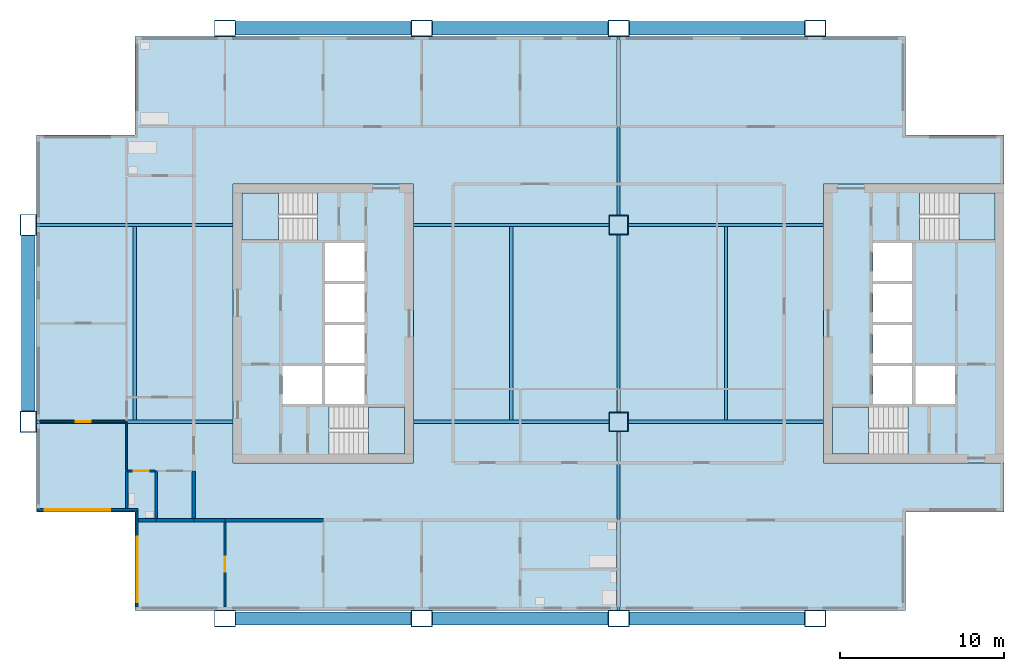
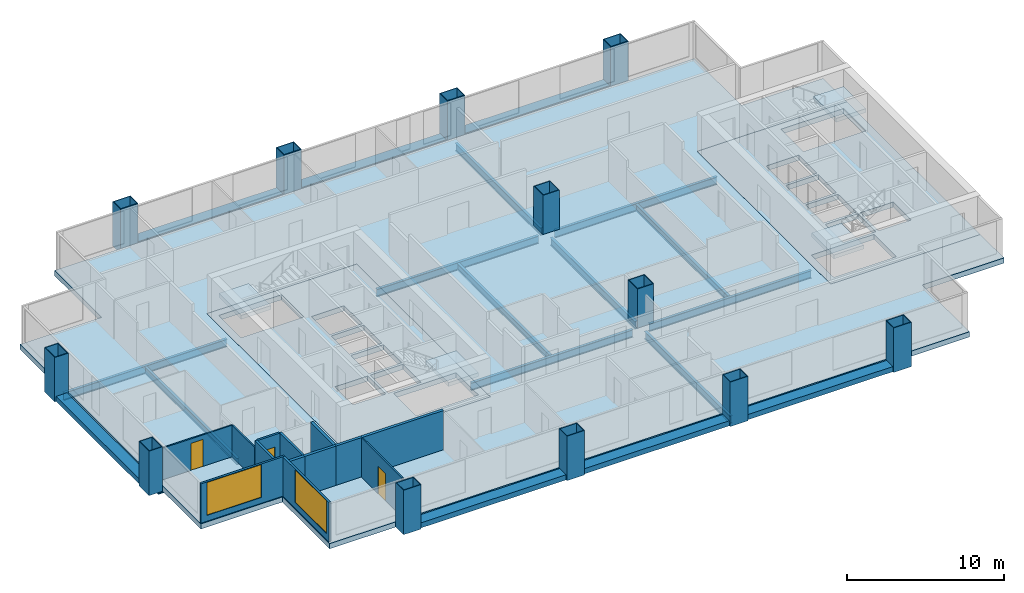
# One storey, part 1 of 8: 19 beams, 13 walls, 12 columns, 7 slabs, 3 doors, 2 windows, 5 openings, 4 elements without a shape of their own.
"""IFC4 building model written with IfcOpenShell, lengths in metres."""

from ifc_helpers import new_model, si_unit, direction, frame, frame_2d, origin, origin_2d, place, context, subcontext, project, spatial, polyline, rectangle, hollow_rectangle, i_section, outline, extrude, material, layer, layer_set, material_profile, profile_set, type_object, element, fill, aggregate, save


model = new_model("IFC4")

# Units and contexts
model_context = context("Model", 3, precision=1e-05, world=origin(), true_north=direction((0.0, 1.0)))
body_context = subcontext(model_context, "Body", "Model", "MODEL_VIEW")
ifc_project = project(units=[si_unit("LENGTHUNIT", "METRE"), si_unit("AREAUNIT", "SQUARE_METRE"), si_unit("VOLUMEUNIT", "CUBIC_METRE"), si_unit("PLANEANGLEUNIT", "RADIAN"), si_unit("MASSUNIT", "GRAM", prefix="KILO")], contexts=[model_context])

# Site, building, storey
site_placement = place(None, origin())
site = spatial("IfcSite", under=ifc_project, at=site_placement, CompositionType="ELEMENT")
building_placement = place(site_placement, origin())
building = spatial("IfcBuilding", under=site, at=building_placement, Name="Kitamizu Gate Tower and Museum", CompositionType="ELEMENT")
storey_placement = place(building_placement, frame((0.0, 0.0, 165.14990234375)))
storey = spatial("IfcBuildingStorey", under=building, at=storey_placement, Name="L43", CompositionType="ELEMENT", Elevation=165.14990234375)

# Columns
ifc_material_1 = material(Name="Steel SM490A bronze coated", Category="steel")
ifc_material_profile_1 = material_profile(ifc_material_1, hollow_rectangle(XDim=1.300048828125, YDim=1.0, WallThickness=0.050048828125, at=origin_2d()), Name="BOX 1300x1000x50")
ifc_profile_set_1 = profile_set([ifc_material_profile_1], Name="Steel SM490A bronze coated")
column_type_1 = type_object("IfcColumnType", Name="Exoskeleton column XC6 BOX 1300x1000x50", PredefinedType="COLUMN", material=ifc_profile_set_1)
for number, where, z_axis, x_axis, name in (
    (1, (0.0, 24.0, -0.39990234375), (0.0, 0.0, 1.0), (0.0, 1.0, 0.0), "Column XC6 1C L43"),
    (2, (0.0, 36.0, -0.39990234375), (0.0, 0.0, 1.0), (0.0, 1.0, 0.0), "Column XC6 1D L43"),
    (3, (12.0, 12.0, -0.39990234375), (0.0, 0.0, 1.0), (1.0, 0.0, 0.0), "Column XC6 2B L43"),
    (4, (12.0, 48.0, -0.39990234375), (0.0, 0.0, 1.0), (1.0, 0.0, 0.0), "Column XC6 2E L43"),
    (5, (24.0, 12.0, -0.39990234375), (0.0, 0.0, 1.0), (1.0, 0.0, 0.0), "Column XC6 3B L43"),
    (6, (24.0, 48.0, -0.39990234375), (0.0, 0.0, 1.0), (1.0, 0.0, 0.0), "Column XC6 3E L43"),
    (7, (36.0, 12.0, -0.39990234375), (0.0, 0.0, 1.0), (1.0, 0.0, 0.0), "Column XC6 4B L43"),
    (8, (36.0, 48.0, -0.39990234375), (0.0, 0.0, 1.0), (1.0, 0.0, 0.0), "Column XC6 4E L43"),
    (9, (48.0, 12.0, -0.39990234375), (0.0, 0.0, 1.0), (1.0, 0.0, 0.0), "Column XC6 5B L43"),
    (10, (48.0, 48.0, -0.39990234375), (0.0, 0.0, 1.0), (1.0, 0.0, 0.0), "Column XC6 5E L43"),
):
    element("IfcColumn", number, at=place(storey_placement, frame(where, z_axis=z_axis, x_axis=x_axis)), inside=storey, type_object=column_type_1, Name=name, PredefinedType="COLUMN", context=body_context, shape_type="SweptSolid", body=[
        extrude(hollow_rectangle(XDim=1.300048828125, YDim=1.0, WallThickness=0.050048828125, at=origin_2d()), origin(), (0.0, 0.0, 1.0), 3.449951171875),
    ])
ifc_material_2 = material(Name="Steel SM490A", Category="steel")
ifc_material_profile_2 = material_profile(ifc_material_2, hollow_rectangle(XDim=1.199951171875, YDim=1.199951171875, WallThickness=0.050048828125, at=origin_2d()), Name="BOX 1200x1200x50")
ifc_profile_set_2 = profile_set([ifc_material_profile_2], Name="Steel SM490A")
column_type_2 = type_object("IfcColumnType", Name="Interior column IC4 BOX 1200x1200x50", PredefinedType="COLUMN", material=ifc_profile_set_2)
for number, where, z_axis, x_axis, name in (
    (11, (36.0, 24.0, 0.0), (0.0, 0.0, 1.0), (1.0, 0.0, 0.0), "Column IC4 4C L43"),
    (12, (36.0, 36.0, 0.0), (0.0, 0.0, 1.0), (1.0, 0.0, 0.0), "Column IC4 4D L43"),
):
    element("IfcColumn", number, at=place(storey_placement, frame(where, z_axis=z_axis, x_axis=x_axis)), inside=storey, type_object=column_type_2, Name=name, PredefinedType="COLUMN", context=body_context, shape_type="SweptSolid", body=[
        extrude(hollow_rectangle(XDim=1.199951171875, YDim=1.199951171875, WallThickness=0.050048828125, at=origin_2d()), origin(), (0.0, 0.0, 1.0), 3.050048828125),
    ])

# Beams
ifc_material_3 = material(Name="Steel SM490A bronze coated", Category="steel")
ifc_material_profile_3 = material_profile(ifc_material_3, hollow_rectangle(XDim=0.800048828125, YDim=0.39990234375, WallThickness=0.0400390625, at=origin_2d()), Name="BOX 800x400x40")
ifc_profile_set_3 = profile_set([ifc_material_profile_3], Name="Steel SM490A bronze coated")
beam_type_1 = type_object("IfcBeamType", Name="Exoskeleton spandrel beam SB1 BOX 800x400x40", PredefinedType="SPANDREL", material=ifc_profile_set_3)
for number, where, z_axis, x_axis, name in (
    (13, (12.64990234375, 12.0, -0.199951171875), (1.0, 0.0, 0.0), (0.0, 1.0, 0.0), "Exoskeleton spandrel beam south 12 L43"),
    (14, (24.64990234375, 12.0, -0.199951171875), (1.0, 0.0, 0.0), (0.0, 1.0, 0.0), "Exoskeleton spandrel beam south 24 L43"),
    (15, (36.64990234375, 12.0, -0.199951171875), (1.0, 0.0, 0.0), (0.0, 1.0, 0.0), "Exoskeleton spandrel beam south 36 L43"),
    (16, (12.64990234375, 48.0, -0.199951171875), (1.0, 0.0, 0.0), (0.0, 1.0, 0.0), "Exoskeleton spandrel beam north 12 L43"),
    (17, (24.64990234375, 48.0, -0.199951171875), (1.0, 0.0, 0.0), (0.0, 1.0, 0.0), "Exoskeleton spandrel beam north 24 L43"),
    (18, (36.64990234375, 48.0, -0.199951171875), (1.0, 0.0, 0.0), (0.0, 1.0, 0.0), "Exoskeleton spandrel beam north 36 L43"),
    (19, (0.0, 24.64990234375, -0.199951171875), (0.0, 1.0, 0.0), (-1.0, 0.0, 0.0), "Exoskeleton spandrel beam west 24 L43"),
):
    element("IfcBeam", number, at=place(storey_placement, frame(where, z_axis=z_axis, x_axis=x_axis)), inside=storey, type_object=beam_type_1, Name=name, PredefinedType="SPANDREL", context=body_context, shape_type="SweptSolid", body=[
        extrude(hollow_rectangle(XDim=0.800048828125, YDim=0.39990234375, WallThickness=0.0400390625, at=origin_2d()), origin(), (0.0, 0.0, 1.0), 10.7001953125),
    ])
ifc_material_4 = material(Name="Steel SM490A", Category="steel")
ifc_material_profile_4 = material_profile(ifc_material_4, i_section(OverallWidth=0.199951171875, OverallDepth=0.5, WebThickness=0.010009765625, FlangeThickness=0.01611328125, FilletRadius=0.02001953125, at=origin_2d()), Name="H-500x200x10x16")
ifc_profile_set_4 = profile_set([ifc_material_profile_4], Name="Steel SM490A")
beam_type_2 = type_object("IfcBeamType", Name="Floor beam FB1 H 500x200x10x16", PredefinedType="BEAM", material=ifc_profile_set_4)
for number, where, z_axis, x_axis, name in (
    (20, (6.5, 24.10009765625, -0.64990234375), (0.0, 1.0, 0.0), (-1.0, 0.0, 0.0), "Floor beam FB1 L43-1"),
    (21, (29.449951171875, 24.10009765625, -0.64990234375), (0.0, 1.0, 0.0), (-1.0, 0.0, 0.0), "Floor beam FB1 L43-2"),
    (22, (42.550048828125, 24.10009765625, -0.64990234375), (0.0, 1.0, 0.0), (-1.0, 0.0, 0.0), "Floor beam FB1 L43-3"),
):
    element("IfcBeam", number, at=place(storey_placement, frame(where, z_axis=z_axis, x_axis=x_axis)), inside=storey, type_object=beam_type_2, Name=name, PredefinedType="BEAM", context=body_context, shape_type="SweptSolid", body=[
        extrude(i_section(OverallWidth=0.199951171875, OverallDepth=0.5, WebThickness=0.010009765625, FlangeThickness=0.01611328125, FilletRadius=0.02001953125, at=origin_2d()), origin(), (0.0, 0.0, 1.0), 11.7998046875),
    ])
ifc_material_5 = material(Name="Steel SM490A", Category="steel")
ifc_material_profile_5 = material_profile(ifc_material_5, i_section(OverallWidth=0.199951171875, OverallDepth=0.60009765625, WebThickness=0.010986328125, FlangeThickness=0.01708984375, FilletRadius=0.02197265625, at=origin_2d()), Name="H-600x200x11x17")
ifc_profile_set_5 = profile_set([ifc_material_profile_5], Name="Steel SM490A")
beam_type_3 = type_object("IfcBeamType", Name="Floor girder FG1 H 600x200x11x17", PredefinedType="BEAM", material=ifc_profile_set_5)
beam_1_placement = place(storey_placement, frame((36.0, 12.5, -0.699951171875), z_axis=(0.0, 1.0, 0.0), x_axis=(-1.0, 0.0, 0.0)))
element("IfcBeam", 23, at=beam_1_placement, inside=storey, type_object=beam_type_3, Name="Floor girder FG1 x36 L43", PredefinedType="BEAM", context=body_context, shape_type="SweptSolid", body=[
    extrude(i_section(OverallWidth=0.199951171875, OverallDepth=0.60009765625, WebThickness=0.010986328125, FlangeThickness=0.01708984375, FilletRadius=0.02197265625, at=origin_2d()), origin(), (0.0, 0.0, 1.0), 10.89990234375),
])
beam_2_placement = place(storey_placement, frame((36.0, 24.60009765625, -0.699951171875), z_axis=(0.0, 1.0, 0.0), x_axis=(-1.0, 0.0, 0.0)))
element("IfcBeam", 24, at=beam_2_placement, inside=storey, type_object=beam_type_3, Name="Floor girder FG1 x36 L43", PredefinedType="BEAM", context=body_context, shape_type="SweptSolid", body=[
    extrude(i_section(OverallWidth=0.199951171875, OverallDepth=0.60009765625, WebThickness=0.010986328125, FlangeThickness=0.01708984375, FilletRadius=0.02197265625, at=origin_2d()), origin(), (0.0, 0.0, 1.0), 10.7998046875),
])
beam_3_placement = place(storey_placement, frame((36.0, 36.60009765625, -0.699951171875), z_axis=(0.0, 1.0, 0.0), x_axis=(-1.0, 0.0, 0.0)))
element("IfcBeam", 25, at=beam_3_placement, inside=storey, type_object=beam_type_3, Name="Floor girder FG1 x36 L43", PredefinedType="BEAM", context=body_context, shape_type="SweptSolid", body=[
    extrude(i_section(OverallWidth=0.199951171875, OverallDepth=0.60009765625, WebThickness=0.010986328125, FlangeThickness=0.01708984375, FilletRadius=0.02197265625, at=origin_2d()), origin(), (0.0, 0.0, 1.0), 10.89990234375),
])
beam_4_placement = place(storey_placement, frame((0.5, 24.0, -0.699951171875), z_axis=(1.0, 0.0, 0.0), x_axis=(0.0, 1.0, 0.0)))
element("IfcBeam", 26, at=beam_4_placement, inside=storey, type_object=beam_type_3, Name="Floor girder FG1 y24 L43", PredefinedType="BEAM", context=body_context, shape_type="SweptSolid", body=[
    extrude(i_section(OverallWidth=0.199951171875, OverallDepth=0.60009765625, WebThickness=0.010986328125, FlangeThickness=0.01708984375, FilletRadius=0.02197265625, at=origin_2d()), origin(), (0.0, 0.0, 1.0), 12.0),
])
for number, where, z_axis, x_axis, name in (
    (27, (23.5, 24.0, -0.699951171875), (1.0, 0.0, 0.0), (0.0, 1.0, 0.0), "Floor girder FG1 y24 L43"),
    (28, (36.60009765625, 24.0, -0.699951171875), (1.0, 0.0, 0.0), (0.0, 1.0, 0.0), "Floor girder FG1 y24 L43"),
):
    element("IfcBeam", number, at=place(storey_placement, frame(where, z_axis=z_axis, x_axis=x_axis)), inside=storey, type_object=beam_type_3, Name=name, PredefinedType="BEAM", context=body_context, shape_type="SweptSolid", body=[
        extrude(i_section(OverallWidth=0.199951171875, OverallDepth=0.60009765625, WebThickness=0.010986328125, FlangeThickness=0.01708984375, FilletRadius=0.02197265625, at=origin_2d()), origin(), (0.0, 0.0, 1.0), 11.89990234375),
    ])
beam_5_placement = place(storey_placement, frame((0.5, 36.0, -0.699951171875), z_axis=(1.0, 0.0, 0.0), x_axis=(0.0, 1.0, 0.0)))
element("IfcBeam", 29, at=beam_5_placement, inside=storey, type_object=beam_type_3, Name="Floor girder FG1 y36 L43", PredefinedType="BEAM", context=body_context, shape_type="SweptSolid", body=[
    extrude(i_section(OverallWidth=0.199951171875, OverallDepth=0.60009765625, WebThickness=0.010986328125, FlangeThickness=0.01708984375, FilletRadius=0.02197265625, at=origin_2d()), origin(), (0.0, 0.0, 1.0), 12.0),
])
for number, where, z_axis, x_axis, name in (
    (30, (23.5, 36.0, -0.699951171875), (1.0, 0.0, 0.0), (0.0, 1.0, 0.0), "Floor girder FG1 y36 L43"),
    (31, (36.60009765625, 36.0, -0.699951171875), (1.0, 0.0, 0.0), (0.0, 1.0, 0.0), "Floor girder FG1 y36 L43"),
):
    element("IfcBeam", number, at=place(storey_placement, frame(where, z_axis=z_axis, x_axis=x_axis)), inside=storey, type_object=beam_type_3, Name=name, PredefinedType="BEAM", context=body_context, shape_type="SweptSolid", body=[
        extrude(i_section(OverallWidth=0.199951171875, OverallDepth=0.60009765625, WebThickness=0.010986328125, FlangeThickness=0.01708984375, FilletRadius=0.02197265625, at=origin_2d()), origin(), (0.0, 0.0, 1.0), 11.89990234375),
    ])

# Slabs
ifc_material_6 = material(Name="Concrete Fc36", Category="concrete")
ifc_layer_1 = layer(ifc_material_6, 0.39990234375)
ifc_layer_set_1 = layer_set([ifc_layer_1], Name="Concrete Fc36")
slab_type_1 = type_object("IfcSlabType", Name="Core floor slab 400", PredefinedType="FLOOR", material=ifc_layer_set_1)
slab_1_placement = place(storey_placement, frame((0.0, 0.0, -0.39990234375)))
element("IfcSlab", 32, at=slab_1_placement, inside=storey, type_object=slab_type_1, Name="Core floor slab W", PredefinedType="FLOOR", context=body_context, shape_type="SweptSolid", body=[
    extrude(outline(polyline([(12.5, 21.5), (23.5, 21.5), (23.5, 38.5), (12.5, 38.5), (12.5, 21.5)]), holes=[polyline([(15.5, 25.10009765625), (17.89990234375, 25.10009765625), (17.89990234375, 27.39990234375), (15.5, 27.39990234375), (15.5, 25.10009765625)]), polyline([(18.10009765625, 25.10009765625), (20.5, 25.10009765625), (20.5, 27.39990234375), (18.10009765625, 27.39990234375), (18.10009765625, 25.10009765625)]), polyline([(18.10009765625, 27.60009765625), (20.5, 27.60009765625), (20.5, 29.89990234375), (18.10009765625, 29.89990234375), (18.10009765625, 27.60009765625)]), polyline([(18.10009765625, 30.10009765625), (20.5, 30.10009765625), (20.5, 32.39990234375), (18.10009765625, 32.39990234375), (18.10009765625, 30.10009765625)]), polyline([(18.10009765625, 32.60009765625), (20.5, 32.60009765625), (20.5, 34.89990234375), (18.10009765625, 34.89990234375), (18.10009765625, 32.60009765625)]), polyline([(18.3505859375, 22.050048828125), (22.949951171875, 22.050048828125), (22.949951171875, 24.89990234375), (18.3505859375, 24.89990234375), (18.3505859375, 22.050048828125)]), polyline([(13.050048828125, 35.10009765625), (17.6494140625, 35.10009765625), (17.6494140625, 37.949951171875), (13.050048828125, 37.949951171875), (13.050048828125, 35.10009765625)])]), origin(), (0.0, 0.0, 1.0), 0.39990234375),
])
slab_2_placement = place(storey_placement, frame((0.0, 0.0, -0.39990234375)))
element("IfcSlab", 33, at=slab_2_placement, inside=storey, type_object=slab_type_1, Name="Core floor slab E", PredefinedType="FLOOR", context=body_context, shape_type="SweptSolid", body=[
    extrude(outline(polyline([(48.5, 21.5), (59.5, 21.5), (59.5, 38.5), (48.5, 38.5), (48.5, 21.5)]), holes=[polyline([(54.10009765625, 25.10009765625), (56.5, 25.10009765625), (56.5, 27.39990234375), (54.10009765625, 27.39990234375), (54.10009765625, 25.10009765625)]), polyline([(51.5, 25.10009765625), (53.89990234375, 25.10009765625), (53.89990234375, 27.39990234375), (51.5, 27.39990234375), (51.5, 25.10009765625)]), polyline([(51.5, 27.60009765625), (53.89990234375, 27.60009765625), (53.89990234375, 29.89990234375), (51.5, 29.89990234375), (51.5, 27.60009765625)]), polyline([(51.5, 30.10009765625), (53.89990234375, 30.10009765625), (53.89990234375, 32.39990234375), (51.5, 32.39990234375), (51.5, 30.10009765625)]), polyline([(51.5, 32.60009765625), (53.89990234375, 32.60009765625), (53.89990234375, 34.89990234375), (51.5, 34.89990234375), (51.5, 32.60009765625)]), polyline([(49.050048828125, 22.050048828125), (53.6494140625, 22.050048828125), (53.6494140625, 24.89990234375), (49.050048828125, 24.89990234375), (49.050048828125, 22.050048828125)]), polyline([(54.3505859375, 35.10009765625), (58.949951171875, 35.10009765625), (58.949951171875, 37.949951171875), (54.3505859375, 37.949951171875), (54.3505859375, 35.10009765625)])]), origin(), (0.0, 0.0, 1.0), 0.39990234375),
])
ifc_material_7 = material(Name="Concrete Fc36", Category="concrete")
ifc_layer_2 = layer(ifc_material_7, 0.39990234375)
ifc_layer_set_2 = layer_set([ifc_layer_2], Name="Concrete Fc36")
slab_type_2 = type_object("IfcSlabType", Name="Post tensioned flat slab 400", PredefinedType="FLOOR", material=ifc_layer_set_2)
slab_3_placement = place(storey_placement, frame((0.0, 0.0, -0.39990234375)))
element("IfcSlab", 34, at=slab_3_placement, inside=storey, type_object=slab_type_2, Name="Floor slab L43-1", PredefinedType="FLOOR", context=body_context, shape_type="SweptSolid", body=[
    extrude(outline(polyline([(0.5, 18.5), (0.5, 41.5), (6.5, 41.5), (6.5, 47.5), (53.5, 47.5), (53.5, 41.5), (59.5, 41.5), (59.5, 38.5), (48.5, 38.5), (48.5, 21.5), (59.5, 21.5), (59.5, 18.5), (53.5, 18.5), (53.5, 12.5), (6.5, 12.5), (6.5, 18.5), (0.5, 18.5)]), holes=[polyline([(12.5, 38.5), (12.5, 21.5), (23.5, 21.5), (23.5, 38.5), (12.5, 38.5)])]), origin(), (0.0, 0.0, 1.0), 0.39990234375),
])

# Stair, slab
ifc_material_8 = material(Name="Concrete Fc42", Category="concrete")
stair_type = type_object("IfcStairType", Name="Exit stair 1325 wide 192 rise 300 going", PredefinedType="HALF_TURN_STAIR", material=ifc_material_8)
stair_1_placement = place(storey_placement, origin())
stair_1 = element("IfcStair", 35, at=stair_1_placement, inside=storey, type_object=stair_type, Name="Exit stair ST1", PredefinedType="HALF_TURN_STAIR")
ifc_material_9 = material(Name="Concrete Fc42", Category="concrete")
ifc_layer_3 = layer(ifc_material_9, 0.300048828125)
ifc_layer_set_3 = layer_set([ifc_layer_3], Name="Concrete Fc42")
slab_type_3 = type_object("IfcSlabType", Name="Stair landing 300", PredefinedType="LANDING", material=ifc_layer_set_3)
slab_4_placement = place(storey_placement, frame((0.0, 0.0, 1.425048828125)))
slab_4 = element("IfcSlab", 36, at=slab_4_placement, type_object=slab_type_3, Name="ST1 landing 1", PredefinedType="LANDING", context=body_context, shape_type="SweptSolid", body=[
    extrude(outline(polyline([(20.75, 22.050048828125), (22.949951171875, 22.050048828125), (22.949951171875, 24.89990234375), (20.75, 24.89990234375), (20.75, 22.050048828125)])), origin(), (0.0, 0.0, 1.0), 0.300048828125),
])
aggregate(stair_1, [slab_4])

stair_2_placement = place(storey_placement, origin())
stair_2 = element("IfcStair", 37, at=stair_2_placement, inside=storey, type_object=stair_type, Name="Exit stair ST2", PredefinedType="HALF_TURN_STAIR")
slab_5_placement = place(storey_placement, frame((0.0, 0.0, 1.425048828125)))
slab_5 = element("IfcSlab", 38, at=slab_5_placement, type_object=slab_type_3, Name="ST2 landing 1", PredefinedType="LANDING", context=body_context, shape_type="SweptSolid", body=[
    extrude(outline(polyline([(13.050048828125, 35.10009765625), (15.25, 35.10009765625), (15.25, 37.949951171875), (13.050048828125, 37.949951171875), (13.050048828125, 35.10009765625)])), origin(), (0.0, 0.0, 1.0), 0.300048828125),
])
aggregate(stair_2, [slab_5])

stair_3_placement = place(storey_placement, origin())
stair_3 = element("IfcStair", 39, at=stair_3_placement, inside=storey, type_object=stair_type, Name="Exit stair ST3", PredefinedType="HALF_TURN_STAIR")
slab_6_placement = place(storey_placement, frame((0.0, 0.0, 1.425048828125)))
slab_6 = element("IfcSlab", 40, at=slab_6_placement, type_object=slab_type_3, Name="ST3 landing 1", PredefinedType="LANDING", context=body_context, shape_type="SweptSolid", body=[
    extrude(outline(polyline([(49.050048828125, 22.050048828125), (51.25, 22.050048828125), (51.25, 24.89990234375), (49.050048828125, 24.89990234375), (49.050048828125, 22.050048828125)])), origin(), (0.0, 0.0, 1.0), 0.300048828125),
])
aggregate(stair_3, [slab_6])

stair_4_placement = place(storey_placement, origin())
stair_4 = element("IfcStair", 41, at=stair_4_placement, inside=storey, type_object=stair_type, Name="Exit stair ST4", PredefinedType="HALF_TURN_STAIR")
slab_7_placement = place(storey_placement, frame((0.0, 0.0, 1.425048828125)))
slab_7 = element("IfcSlab", 42, at=slab_7_placement, type_object=slab_type_3, Name="ST4 landing 1", PredefinedType="LANDING", context=body_context, shape_type="SweptSolid", body=[
    extrude(outline(polyline([(56.75, 35.10009765625), (58.949951171875, 35.10009765625), (58.949951171875, 37.949951171875), (56.75, 37.949951171875), (56.75, 35.10009765625)])), origin(), (0.0, 0.0, 1.0), 0.300048828125),
])
aggregate(stair_4, [slab_7])

# Wall, opening, door
ifc_material_10 = material(Name="Gypsum board on galvanised stud")
ifc_layer_4 = layer(ifc_material_10, 0.10009765625)
ifc_layer_set_4 = layer_set([ifc_layer_4], Name="Gypsum board on galvanised stud")
wall_type_1 = type_object("IfcWallType", Name="Partition 100 NOT RATED", PredefinedType="PARTITIONING", material=ifc_layer_set_4)
wall_1_placement = place(storey_placement, frame((12.0, 12.719970703125, 0.0), z_axis=(0.0, 0.0, 1.0), x_axis=(0.0, 1.0, 0.0)))
wall_1 = element("IfcWall", 43, at=wall_1_placement, inside=storey, type_object=wall_type_1, Name="Partition L43-001", PredefinedType="PARTITIONING", context=body_context, shape_type="SweptSolid", body=[
    extrude(rectangle(XDim=5.179931640625, YDim=0.10009765625, at=frame_2d((2.58984375, 0.0))), origin(), (0.0, 0.0, 1.0), 3.050048828125),
])
opening_1_placement = place(wall_1_placement, frame((2.139892578125, 0.0, 0.0)))
opening_1 = element("IfcOpeningElement", 44, at=opening_1_placement, cuts=wall_1, Name="Opening L43-005", PredefinedType="OPENING", context=body_context, shape_type="SweptSolid", body=[
    extrude(rectangle(XDim=0.89990234375, YDim=2.10009765625, at=frame_2d((0.449951171875, 1.050048828125))), frame((0.0, 0.06005859375, 0.0), z_axis=(0.0, -1.0, 0.0), x_axis=(1.0, 0.0, 0.0)), (0.0, 0.0, 1.0), 0.1201171875),
])
ifc_material_11 = material(Name="Timber door set", Category="wood")
door_type_1 = type_object("IfcDoorType", Name="Room door 900", OperationType="NOTDEFINED", PredefinedType="DOOR", material=ifc_material_11)
door_1_placement = place(opening_1_placement, origin())
door_1 = element("IfcDoor", 45, at=door_1_placement, inside=storey, type_object=door_type_1, Name="Door L43-005", OperationType="SINGLE_SWING_RIGHT", OverallHeight=2.10009765625, OverallWidth=0.89990234375, PredefinedType="DOOR", context=body_context, shape_type="SweptSolid", body=[
    extrude(rectangle(XDim=0.89990234375, YDim=2.10009765625, at=frame_2d((0.449951171875, 1.050048828125))), frame((0.0, 0.02490234375, 0.0), z_axis=(0.0, -1.0, 0.0), x_axis=(1.0, 0.0, 0.0)), (0.0, 0.0, 1.0), 0.050048828125),
])
fill(opening_1, door_1)

wall_2_placement = place(storey_placement, frame((6.0, 24.0, 0.0), z_axis=(0.0, 0.0, 1.0), x_axis=(-1.0, 0.0, 0.0)))
wall_2 = element("IfcWall", 46, at=wall_2_placement, inside=storey, type_object=wall_type_1, Name="Partition L43-027", PredefinedType="PARTITIONING", context=body_context, shape_type="SweptSolid", body=[
    extrude(rectangle(XDim=5.280029296875, YDim=0.10009765625, at=frame_2d((2.64013671875, 0.0))), origin(), (0.0, 0.0, 1.0), 2.4501953125),
])
opening_2_placement = place(wall_2_placement, frame((2.18994140625, 0.0, 0.0)))
opening_2 = element("IfcOpeningElement", 47, at=opening_2_placement, cuts=wall_2, Name="Opening L43-016", PredefinedType="OPENING", context=body_context, shape_type="SweptSolid", body=[
    extrude(rectangle(XDim=0.89990234375, YDim=2.10009765625, at=frame_2d((0.449951171875, 1.050048828125))), frame((0.0, 0.06005859375, 0.0), z_axis=(0.0, -1.0, 0.0), x_axis=(1.0, 0.0, 0.0)), (0.0, 0.0, 1.0), 0.1201171875),
])
door_2_placement = place(opening_2_placement, origin())
door_2 = element("IfcDoor", 48, at=door_2_placement, inside=storey, type_object=door_type_1, Name="Door L43-016", OperationType="SINGLE_SWING_LEFT", OverallHeight=2.10009765625, OverallWidth=0.89990234375, PredefinedType="DOOR", context=body_context, shape_type="SweptSolid", body=[
    extrude(rectangle(XDim=0.89990234375, YDim=2.10009765625, at=frame_2d((0.449951171875, 1.050048828125))), frame((0.0, 0.02490234375, 0.0), z_axis=(0.0, -1.0, 0.0), x_axis=(1.0, 0.0, 0.0)), (0.0, 0.0, 1.0), 0.050048828125),
])
fill(opening_2, door_2)

# Walls
wall_3_placement = place(storey_placement, frame((6.0, 21.074951171875, 0.0), z_axis=(0.0, 0.0, 1.0), x_axis=(0.0, 1.0, 0.0)))
element("IfcWall", 49, at=wall_3_placement, inside=storey, type_object=wall_type_1, Name="Partition L43-029", PredefinedType="PARTITIONING", context=body_context, shape_type="SweptSolid", body=[
    extrude(rectangle(XDim=2.875, YDim=0.10009765625, at=frame_2d((1.4375, 0.0))), origin(), (0.0, 0.0, 1.0), 2.4501953125),
])
ifc_material_12 = material(Name="Gypsum board on galvanised stud")
ifc_layer_5 = layer(ifc_material_12, 0.14990234375)
ifc_layer_set_5 = layer_set([ifc_layer_5], Name="Gypsum board on galvanised stud")
wall_type_2 = type_object("IfcWallType", Name="Partition 150", PredefinedType="PARTITIONING", material=ifc_layer_set_5)
wall_4_placement = place(storey_placement, frame((6.0, 18.719970703125, 0.0), z_axis=(0.0, 0.0, 1.0), x_axis=(0.0, 1.0, 0.0)))
element("IfcWall", 50, at=wall_4_placement, inside=storey, type_object=wall_type_2, Name="Partition L43-028", PredefinedType="PARTITIONING", context=body_context, shape_type="SweptSolid", body=[
    extrude(rectangle(XDim=2.280029296875, YDim=0.14990234375, at=frame_2d((1.14013671875, 0.0))), origin(), (0.0, 0.0, 1.0), 3.050048828125),
])
wall_5_placement = place(storey_placement, frame((7.800048828125, 18.10009765625, 0.0), z_axis=(0.0, 0.0, 1.0), x_axis=(0.0, 1.0, 0.0)))
element("IfcWall", 51, at=wall_5_placement, inside=storey, type_object=wall_type_2, Name="Partition L43-036", PredefinedType="PARTITIONING", context=body_context, shape_type="SweptSolid", body=[
    extrude(rectangle(XDim=2.89990234375, YDim=0.14990234375, at=frame_2d((1.449951171875, 0.0))), origin(), (0.0, 0.0, 1.0), 3.050048828125),
])

# Wall, opening, door
wall_6_placement = place(storey_placement, frame((7.72509765625, 21.0, 0.0), z_axis=(0.0, 0.0, 1.0), x_axis=(-1.0, 0.0, 0.0)))
wall_6 = element("IfcWall", 52, at=wall_6_placement, inside=storey, type_object=wall_type_2, Name="Partition L43-037", PredefinedType="PARTITIONING", context=body_context, shape_type="SweptSolid", body=[
    extrude(rectangle(XDim=1.650146484375, YDim=0.14990234375, at=frame_2d((0.8251953125, 0.0))), origin(), (0.0, 0.0, 1.0), 3.050048828125),
])
opening_3_placement = place(wall_6_placement, frame((0.375, 0.0, 0.0)))
opening_3 = element("IfcOpeningElement", 53, at=opening_3_placement, cuts=wall_6, Name="Opening L43-017", PredefinedType="OPENING", context=body_context, shape_type="SweptSolid", body=[
    extrude(rectangle(XDim=0.89990234375, YDim=2.10009765625, at=frame_2d((0.449951171875, 1.050048828125))), frame((0.0, 0.0849609375, 0.0), z_axis=(0.0, -1.0, 0.0), x_axis=(1.0, 0.0, 0.0)), (0.0, 0.0, 1.0), 0.169921875),
])
ifc_material_13 = material(Name="Timber door set", Category="wood")
door_type_2 = type_object("IfcDoorType", Name="Bathroom door 900", OperationType="NOTDEFINED", PredefinedType="DOOR", material=ifc_material_13)
door_3_placement = place(opening_3_placement, origin())
door_3 = element("IfcDoor", 54, at=door_3_placement, inside=storey, type_object=door_type_2, Name="Bathroom door L43-017", OperationType="SINGLE_SWING_RIGHT", OverallHeight=2.10009765625, OverallWidth=0.89990234375, PredefinedType="DOOR", context=body_context, shape_type="SweptSolid", body=[
    extrude(rectangle(XDim=0.89990234375, YDim=2.10009765625, at=frame_2d((0.449951171875, 1.050048828125))), frame((0.0, 0.02490234375, 0.0), z_axis=(0.0, -1.0, 0.0), x_axis=(1.0, 0.0, 0.0)), (0.0, 0.0, 1.0), 0.050048828125),
])
fill(opening_3, door_3)

# Walls
ifc_material_14 = material(Name="Gypsum board on galvanised stud")
ifc_layer_6 = layer(ifc_material_14, 0.199951171875)
ifc_layer_set_6 = layer_set([ifc_layer_6], Name="Gypsum board on galvanised stud")
wall_type_3 = type_object("IfcWallType", Name="Partition 200", PredefinedType="PARTITIONING", material=ifc_layer_set_6)
wall_7_placement = place(storey_placement, frame((7.800048828125, 18.0, 0.0), z_axis=(0.0, 0.0, 1.0), x_axis=(-1.0, 0.0, 0.0)))
element("IfcWall", 55, at=wall_7_placement, inside=storey, type_object=wall_type_3, Name="Partition L43-002", PredefinedType="PARTITIONING", context=body_context, shape_type="SweptSolid", body=[
    extrude(rectangle(XDim=1.080078125, YDim=0.199951171875, at=frame_2d((0.5400390625, 0.0))), origin(), (0.0, 0.0, 1.0), 3.050048828125),
])
wall_8_placement = place(storey_placement, frame((10.10009765625, 18.0, 0.0), z_axis=(0.0, 0.0, 1.0), x_axis=(-1.0, 0.0, 0.0)))
element("IfcWall", 56, at=wall_8_placement, inside=storey, type_object=wall_type_3, Name="Partition L43-003", PredefinedType="PARTITIONING", context=body_context, shape_type="SweptSolid", body=[
    extrude(rectangle(XDim=2.300048828125, YDim=0.199951171875, at=frame_2d((1.14990234375, 0.0))), origin(), (0.0, 0.0, 1.0), 3.050048828125),
])
wall_9_placement = place(storey_placement, frame((12.0, 18.0, 0.0), z_axis=(0.0, 0.0, 1.0), x_axis=(-1.0, 0.0, 0.0)))
element("IfcWall", 57, at=wall_9_placement, inside=storey, type_object=wall_type_3, Name="Partition L43-004", PredefinedType="PARTITIONING", context=body_context, shape_type="SweptSolid", body=[
    extrude(rectangle(XDim=1.89990234375, YDim=0.199951171875, at=frame_2d((0.949951171875, 0.0))), origin(), (0.0, 0.0, 1.0), 3.050048828125),
])
wall_10_placement = place(storey_placement, frame((18.0, 18.0, 0.0), z_axis=(0.0, 0.0, 1.0), x_axis=(-1.0, 0.0, 0.0)))
element("IfcWall", 58, at=wall_10_placement, inside=storey, type_object=wall_type_3, Name="Partition L43-006", PredefinedType="PARTITIONING", context=body_context, shape_type="SweptSolid", body=[
    extrude(rectangle(XDim=6.0, YDim=0.199951171875, at=frame_2d((3.0, 0.0))), origin(), (0.0, 0.0, 1.0), 3.050048828125),
])
wall_11_placement = place(storey_placement, frame((10.10009765625, 18.10009765625, 0.0), z_axis=(0.0, 0.0, 1.0), x_axis=(0.0, 1.0, 0.0)))
element("IfcWall", 59, at=wall_11_placement, inside=storey, type_object=wall_type_3, Name="Partition L43-039", PredefinedType="PARTITIONING", context=body_context, shape_type="SweptSolid", body=[
    extrude(rectangle(XDim=2.89990234375, YDim=0.199951171875, at=frame_2d((1.449951171875, 0.0))), origin(), (0.0, 0.0, 1.0), 3.050048828125),
])

# Wall, opening, window
ifc_material_15 = material(Name="Bronze anodised aluminium frame with insulated spandrel and tinted glass", Category="aluminium")
ifc_layer_7 = layer(ifc_material_15, 0.14990234375)
ifc_layer_set_7 = layer_set([ifc_layer_7], Name="Bronze anodised aluminium frame with insulated spandrel and tinted glass")
wall_type_4 = type_object("IfcWallType", Name="WINDOW WALL 150 BRONZE FRAME EI 30", PredefinedType="ELEMENTEDWALL", material=ifc_layer_set_7)
wall_12_placement = place(storey_placement, frame((0.56005859375, 18.635009765625, 0.0), z_axis=(0.0, 0.0, 1.0), x_axis=(1.0, 0.0, 0.0)))
wall_12 = element("IfcWall", 60, at=wall_12_placement, inside=storey, type_object=wall_type_4, Name="Window wall south L43", PredefinedType="ELEMENTEDWALL", context=body_context, shape_type="SweptSolid", body=[
    extrude(rectangle(XDim=6.14990234375, YDim=0.14990234375, at=frame_2d((3.074951171875, 0.0))), origin(), (0.0, 0.0, 1.0), 3.050048828125),
])
opening_4_placement = place(wall_12_placement, frame((0.43994140625, 0.0, 0.449951171875)))
opening_4 = element("IfcOpeningElement", 61, at=opening_4_placement, cuts=wall_12, Name="Opening W16", PredefinedType="OPENING", context=body_context, shape_type="SweptSolid", body=[
    extrude(rectangle(XDim=4.0, YDim=2.550048828125, at=frame_2d((2.0, 1.27490234375))), frame((0.0, 0.0849609375, 0.0), z_axis=(0.0, -1.0, 0.0), x_axis=(1.0, 0.0, 0.0)), (0.0, 0.0, 1.0), 0.169921875),
])
ifc_material_16 = material(Name="Bronze anodised aluminium frame, tinted triple glazing", Category="aluminium")
window_type = type_object("IfcWindowType", Name="WINDOW 4000 x 2550 SILL 450", PartitioningType="SINGLE_PANEL", PredefinedType="WINDOW", material=ifc_material_16)
window_1_placement = place(opening_4_placement, origin())
window_1 = element("IfcWindow", 62, at=window_1_placement, inside=storey, type_object=window_type, Name="Window W16 L43", OverallHeight=2.550048828125, OverallWidth=4.0, PartitioningType="SINGLE_PANEL", PredefinedType="WINDOW", context=body_context, shape_type="SweptSolid", body=[
    extrude(rectangle(XDim=4.0, YDim=2.550048828125, at=frame_2d((2.0, 1.27490234375))), frame((0.0, 0.030029296875, 0.0), z_axis=(0.0, -1.0, 0.0), x_axis=(1.0, 0.0, 0.0)), (0.0, 0.0, 1.0), 0.06005859375),
])
fill(opening_4, window_1)

wall_13_placement = place(storey_placement, frame((6.635009765625, 12.7099609375, 0.0), z_axis=(0.0, 0.0, 1.0), x_axis=(0.0, 1.0, 0.0)))
wall_13 = element("IfcWall", 63, at=wall_13_placement, inside=storey, type_object=wall_type_4, Name="Window wall west L43", PredefinedType="ELEMENTEDWALL", context=body_context, shape_type="SweptSolid", body=[
    extrude(rectangle(XDim=5.85009765625, YDim=0.14990234375, at=frame_2d((2.925048828125, 0.0))), origin(), (0.0, 0.0, 1.0), 3.050048828125),
])
opening_5_placement = place(wall_13_placement, frame((0.2900390625, 0.0, 0.449951171875)))
opening_5 = element("IfcOpeningElement", 64, at=opening_5_placement, cuts=wall_13, Name="Opening W16", PredefinedType="OPENING", context=body_context, shape_type="SweptSolid", body=[
    extrude(rectangle(XDim=4.0, YDim=2.550048828125, at=frame_2d((2.0, 1.27490234375))), frame((0.0, 0.0849609375, 0.0), z_axis=(0.0, -1.0, 0.0), x_axis=(1.0, 0.0, 0.0)), (0.0, 0.0, 1.0), 0.169921875),
])
window_2_placement = place(opening_5_placement, origin())
window_2 = element("IfcWindow", 65, at=window_2_placement, inside=storey, type_object=window_type, Name="Window W16 L43", OverallHeight=2.550048828125, OverallWidth=4.0, PartitioningType="SINGLE_PANEL", PredefinedType="WINDOW", context=body_context, shape_type="SweptSolid", body=[
    extrude(rectangle(XDim=4.0, YDim=2.550048828125, at=frame_2d((2.0, 1.27490234375))), frame((0.0, 0.030029296875, 0.0), z_axis=(0.0, -1.0, 0.0), x_axis=(1.0, 0.0, 0.0)), (0.0, 0.0, 1.0), 0.06005859375),
])
fill(opening_5, window_2)

save(model, "model.ifc")
